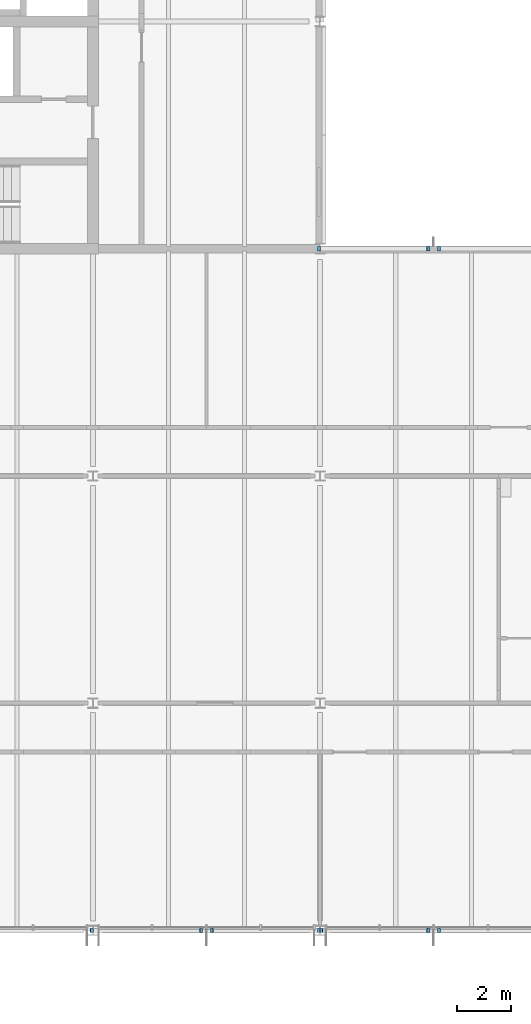
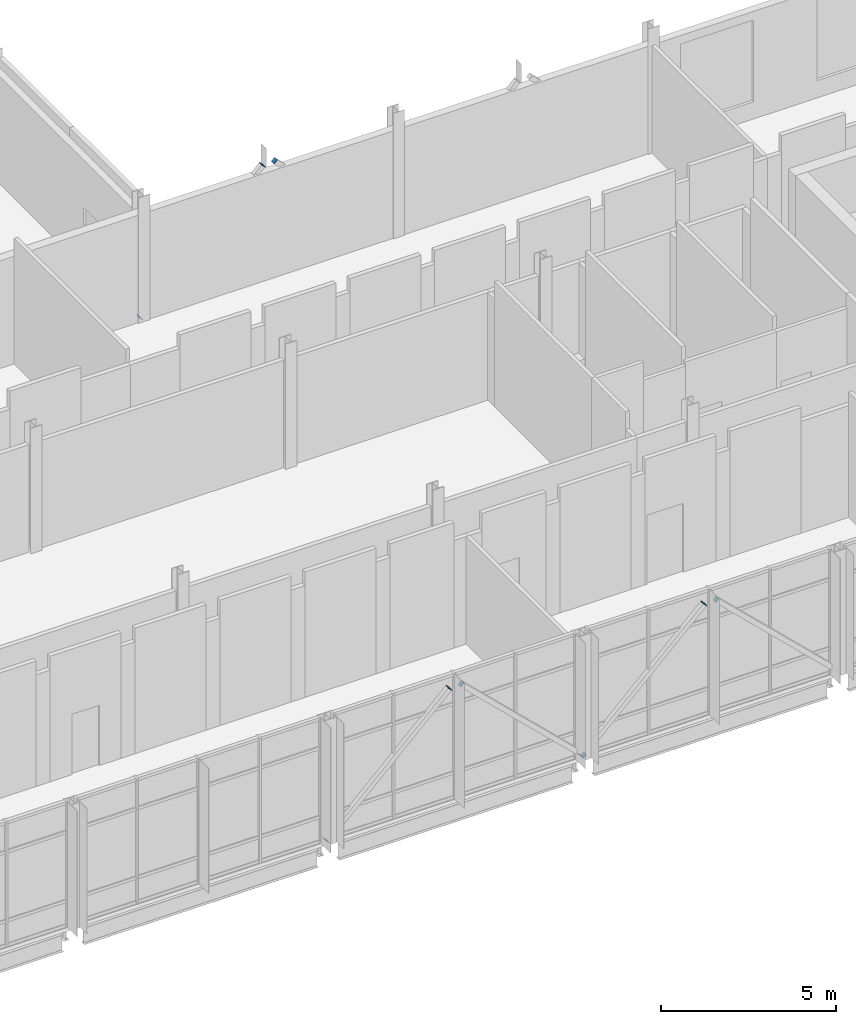
# One storey, part 61 of 89: 10 discrete accessories.
"""IFC4 building model written with IfcOpenShell, lengths in metres."""

import ifcopenshell
import ifcopenshell.guid

model = None  # the IFC model being written
_history = None  # IfcOwnerHistory: only IFC2X3 demands one
_inside = {}  # id of a spatial element -> (the spatial element, [elements in it])
_under = {}  # id of a project, library or spatial element -> (it, [spatial elements below it])
_declared = {}  # id of a project -> (the project, [libraries it declares])
_typed = {}  # id of a type object -> (the type object, [elements of that type])
_made_of = {}  # id of a material, layer set ... -> (it, [elements and type objects made of it])


def new_model(schema):
    """Start an empty IFC model of exactly this schema.

    Asked for "IFC4X3", IfcOpenShell would pick the latest addendum, in which some entities
    have other attributes; the version numbers below select the first issue.
    IFC2X3 requires an IfcOwnerHistory on every rooted entity: one is made here for all.
    """
    global model, _history
    if schema == "IFC4X3":
        model = ifcopenshell.file(schema_version=(4, 3, 0, 0))
    else:
        model = ifcopenshell.file(schema=schema)
    _inside.clear()
    _under.clear()
    _declared.clear()
    _typed.clear()
    _made_of.clear()
    _history = None
    if model.schema == "IFC2X3":
        org = make("IfcOrganization", Name="unknown")
        user = make(
            "IfcPersonAndOrganization",
            ThePerson=make("IfcPerson", FamilyName="unknown"),
            TheOrganization=org,
        )
        app = make(
            "IfcApplication",
            ApplicationDeveloper=org,
            Version="unknown",
            ApplicationFullName="unknown",
            ApplicationIdentifier="unknown",
        )
        _history = make(
            "IfcOwnerHistory",
            OwningUser=user,
            OwningApplication=app,
            ChangeAction="ADDED",
            CreationDate=0,
        )
    return model


def make(cls, **values):
    """One entity of the class cls with the attributes given. An attribute that is None is left unset."""
    return model.create_entity(
        cls, **{name: value for name, value in values.items() if value is not None}
    )


def rooted(cls, **values):
    """An entity with a GlobalId (a new one), such as an element, a storey or a relation."""
    return make(cls, GlobalId=ifcopenshell.guid.new(), OwnerHistory=_history, **values)


def si_unit(unit_type, name, prefix=None):
    """IfcSIUnit, for example si_unit("LENGTHUNIT", "METRE", prefix="MILLI")."""
    return make("IfcSIUnit", UnitType=unit_type, Prefix=prefix, Name=name)


def assignment(units):
    """IfcUnitAssignment: the units of a project."""
    return None if units is None else make("IfcUnitAssignment", Units=units)


def point(xyz):
    """IfcCartesianPoint."""
    return None if xyz is None else make("IfcCartesianPoint", Coordinates=xyz)


def direction(xyz):
    """IfcDirection."""
    return None if xyz is None else make("IfcDirection", DirectionRatios=xyz)


def frame(location, z_axis=None, x_axis=None):
    """IfcAxis2Placement3D, a coordinate frame: its origin and axes. An axis left out is left unset."""
    return make(
        "IfcAxis2Placement3D",
        Location=point(location),
        Axis=direction(z_axis),
        RefDirection=direction(x_axis),
    )


def frame_2d(location, x_axis=None):
    """IfcAxis2Placement2D, a coordinate frame in the plane: its origin and x axis."""
    return make(
        "IfcAxis2Placement2D", Location=point(location), RefDirection=direction(x_axis)
    )


def origin():
    """The frame at (0, 0, 0) with its axes left unset."""
    return frame((0.0, 0.0, 0.0))


def origin_2d():
    """The frame at (0, 0) in the plane with its x axis left unset."""
    return frame_2d((0.0, 0.0))


def place(relative_to, where):
    """IfcLocalPlacement: puts the frame where relative to a parent placement (None: the world)."""
    return make(
        "IfcLocalPlacement", PlacementRelTo=relative_to, RelativePlacement=where
    )


def context(
    kind, dimensions, precision=None, world=None, true_north=None, identifier=None
):
    """IfcGeometricRepresentationContext, for example the 3D "Model" context."""
    return make(
        "IfcGeometricRepresentationContext",
        ContextIdentifier=identifier,
        ContextType=kind,
        CoordinateSpaceDimension=dimensions,
        Precision=precision,
        WorldCoordinateSystem=world,
        TrueNorth=true_north,
    )


def subcontext(parent, identifier, kind, view, scale=None):
    """IfcGeometricRepresentationSubContext, for example "Body" below "Model"."""
    return make(
        "IfcGeometricRepresentationSubContext",
        ContextIdentifier=identifier,
        ContextType=kind,
        ParentContext=parent,
        TargetScale=scale,
        TargetView=view,
    )


def project(units=None, contexts=None):
    """IfcProject with its units and contexts."""
    return rooted(
        "IfcProject",
        Name="project",
        RepresentationContexts=contexts,
        UnitsInContext=assignment(units),
    )


def spatial(cls, under=None, at=None, **own):
    """A site, building, storey or space (cls), placed at a placement, below another one or the project."""
    s = rooted(cls, ObjectPlacement=at, **own)
    if under is not None:
        _under.setdefault(under.id(), (under, []))[1].append(s)
    return s


def profile(cls, at=None, kind="AREA", **sizes):
    """A parametric profile (cls). Its sizes go by their IFC names, for example OverallWidth=200.0."""
    return make(cls, ProfileType=kind, Position=at, **sizes)


def rectangle(**sizes):
    """IfcRectangleProfileDef."""
    return profile("IfcRectangleProfileDef", **sizes)


def extrude(swept, where, along, depth):
    """IfcExtrudedAreaSolid: the profile swept, set in the frame where, extruded along a direction by depth."""
    return make(
        "IfcExtrudedAreaSolid",
        SweptArea=swept,
        Position=where,
        ExtrudedDirection=direction(along),
        Depth=depth,
    )


def shape(context_of_items, identifier, shape_type, items):
    """IfcShapeRepresentation: the items that make up one representation, for example the "Body"."""
    return make(
        "IfcShapeRepresentation",
        ContextOfItems=context_of_items,
        RepresentationIdentifier=identifier,
        RepresentationType=shape_type,
        Items=items,
    )


def material(Name=None, Category=None):
    """IfcMaterial."""
    return make("IfcMaterial", Name=Name, Category=Category)


def made_of(thing, what):
    """Note that an element or type object is made of a material, layer set ...; save() writes the relation."""
    if what is not None:
        _made_of.setdefault(what.id(), (what, []))[1].append(thing)
    return thing


def element(
    cls,
    number,
    at=None,
    inside=None,
    cuts=None,
    type_object=None,
    material=None,
    context=None,
    identifier="Body",
    shape_type=None,
    held_by="IfcProductDefinitionShape",
    body=None,
    shapes=None,
    **own,
):
    """One element of the class cls, such as IfcWall. Its Tag is "e" and its number.

    at: its placement. inside: the storey or other place that contains it. cuts: it is an
    opening in that element (IfcRelVoidsElement). A single representation is given by context,
    identifier, shape_type and body (its items); several are given by shapes. held_by: the class
    of the entity that holds the representations. save() writes the other relations.
    """
    e = rooted(cls, Tag="e%d" % number, ObjectPlacement=at, **own)
    if body is not None:
        shapes = [shape(context, identifier, shape_type, body)]
    if shapes is not None:
        e.Representation = make(held_by, Representations=shapes)
    if inside is not None:
        _inside.setdefault(inside.id(), (inside, []))[1].append(e)
    if cuts is not None:
        rooted(
            "IfcRelVoidsElement", RelatingBuildingElement=cuts, RelatedOpeningElement=e
        )
    if type_object is not None:
        _typed.setdefault(type_object.id(), (type_object, []))[1].append(e)
    return made_of(e, material)


def aggregate(whole, parts):
    """IfcRelAggregates: a whole, such as a stair, and the parts it consists of."""
    return rooted("IfcRelAggregates", RelatingObject=whole, RelatedObjects=parts)


def save(model, path):
    """Write the relations noted so far, then the file.

    IfcRelAggregates (storeys below a building ...), IfcRelContainedInSpatialStructure (elements
    in a storey), IfcRelDefinesByType, IfcRelAssociatesMaterial and IfcRelDeclares: one each for
    every whole, place, type object, material and project.
    """
    for whole, parts in _under.values():
        aggregate(whole, parts)
    for where, things in _inside.values():
        rooted(
            "IfcRelContainedInSpatialStructure",
            RelatedElements=things,
            RelatingStructure=where,
        )
    for kind, things in _typed.values():
        rooted("IfcRelDefinesByType", RelatedObjects=things, RelatingType=kind)
    for what, things in _made_of.values():
        rooted("IfcRelAssociatesMaterial", RelatedObjects=things, RelatingMaterial=what)
    for by, libraries in _declared.values():
        rooted("IfcRelDeclares", RelatingContext=by, RelatedDefinitions=libraries)
    model.write(path)


model = new_model("IFC4")

# Units and contexts
model_context = context("Model", 3, precision=1e-05, world=origin(), true_north=direction((0.0, 1.0)))
body_context = subcontext(model_context, "Body", "Model", "MODEL_VIEW")
ifc_project = project(units=[si_unit("LENGTHUNIT", "METRE"), si_unit("AREAUNIT", "SQUARE_METRE"), si_unit("VOLUMEUNIT", "CUBIC_METRE"), si_unit("PLANEANGLEUNIT", "RADIAN"), si_unit("MASSUNIT", "GRAM", prefix="KILO")], contexts=[model_context])

# Site, building, storey
site_placement = place(None, origin())
site = spatial("IfcSite", under=ifc_project, at=site_placement, CompositionType="ELEMENT")
building_placement = place(site_placement, origin())
building = spatial("IfcBuilding", under=site, at=building_placement, Name="Hlaing Beacon Police Headquarters", CompositionType="ELEMENT")
storey_placement = place(building_placement, frame((0.0, 0.0, 9.89990234375)))
storey = spatial("IfcBuildingStorey", under=building, at=storey_placement, Name="L02", CompositionType="ELEMENT", Elevation=9.89990234375)

# Discrete accessories
ifc_material = material(Name="Steel ASTM A572 Grade 50", Category="steel")
for number, where, z_axis, x_axis, name in (
    (1, (25.162841796875, 8.39990234375, 0.060791015625), (-0.719900149017, 0.0, -0.694077643672), (0.0, -1.0, 0.0), "Gusset plate GP-001"),
    (2, (29.194091796875, 8.39990234375, 3.947509765625), (0.719900149017, 0.0, 0.694077643672), (0.0, 1.0, 0.0), "Gusset plate GP-002"),
    (3, (33.63720703125, 8.39990234375, 0.060791015625), (0.719900149017, 0.0, -0.694077643672), (0.0, 1.0, 0.0), "Gusset plate GP-003"),
    (4, (29.60595703125, 8.39990234375, 3.947509765625), (-0.719900149017, 0.0, 0.694077643672), (0.0, -1.0, 0.0), "Gusset plate GP-004"),
    (5, (33.562744140625, 8.39990234375, 0.060791015625), (-0.719921090511, 0.0, -0.694055922414), (0.0, -1.0, 0.0), "Gusset plate GP-005"),
    (6, (37.59423828125, 8.39990234375, 3.947509765625), (0.719921090511, 0.0, 0.694055922414), (0.0, 1.0, 0.0), "Gusset plate GP-006"),
    (7, (38.005859375, 8.39990234375, 3.947509765625), (-0.719900149017, 0.0, 0.694077643672), (0.0, -1.0, 0.0), "Gusset plate GP-008"),
    (8, (33.56494140625, 33.60009765625, 0.060791015625), (-0.719732546267, 0.0, -0.694251439929), (0.0, -1.0, 0.0), "Gusset plate GP-017"),
    (9, (37.59423828125, 33.60009765625, 3.947509765625), (0.719732546267, 0.0, 0.694251439929), (0.0, 1.0, 0.0), "Gusset plate GP-018"),
    (10, (38.005859375, 33.60009765625, 3.947509765625), (-0.719900149017, 0.0, 0.694077643672), (0.0, -1.0, 0.0), "Gusset plate GP-020"),
):
    element("IfcDiscreteAccessory", number, at=place(storey_placement, frame(where, z_axis=z_axis, x_axis=x_axis)), inside=storey, material=ifc_material, Name=name, PredefinedType="BRACKET", context=body_context, shape_type="SweptSolid", body=[
        extrude(rectangle(XDim=0.15234375, YDim=0.15234375, at=origin_2d()), origin(), (0.0, 0.0, 1.0), 0.01611328125),
    ])

save(model, "model.ifc")
